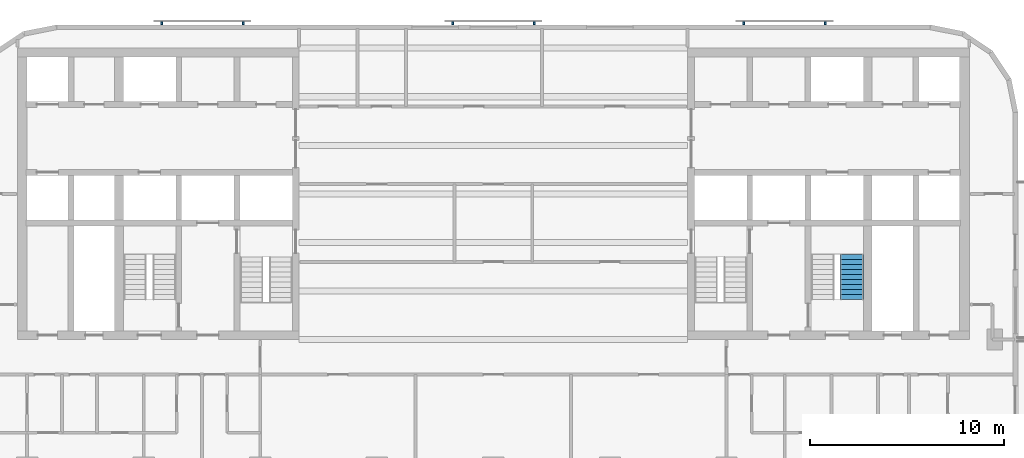
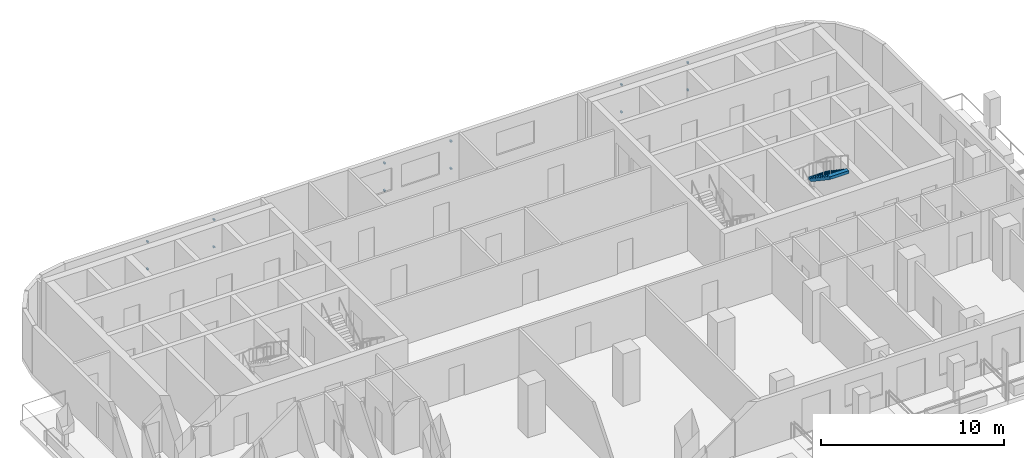
# One storey, part 8 of 11: 12 discrete accessories, 1 stair flight, 1 element without a shape of its own.
"""IFC4 building model written with IfcOpenShell, lengths in metres."""

from ifc_helpers import new_model, si_unit, direction, frame, origin, origin_2d, place, context, subcontext, project, spatial, polyline, rectangle, outline, extrude, material, type_object, element, aggregate, save


model = new_model("IFC4")

# Units and contexts
model_context = context("Model", 3, precision=1e-05, world=origin(), true_north=direction((0.0, 1.0)))
body_context = subcontext(model_context, "Body", "Model", "MODEL_VIEW")
ifc_project = project(units=[si_unit("LENGTHUNIT", "METRE"), si_unit("AREAUNIT", "SQUARE_METRE"), si_unit("VOLUMEUNIT", "CUBIC_METRE"), si_unit("PLANEANGLEUNIT", "RADIAN"), si_unit("MASSUNIT", "GRAM", prefix="KILO")], contexts=[model_context])

# Site, building, storey
site_placement = place(None, origin())
site = spatial("IfcSite", under=ifc_project, at=site_placement, CompositionType="ELEMENT")
building_placement = place(site_placement, origin())
building = spatial("IfcBuilding", under=site, at=building_placement, Name="Torana Hotel and Residences", CompositionType="ELEMENT")
storey_placement = place(building_placement, frame((0.0, 0.0, 187.10009765625)))
storey = spatial("IfcBuildingStorey", under=building, at=storey_placement, Name="L48", CompositionType="ELEMENT", Elevation=187.10009765625)

# Stair, stair flight
ifc_material_1 = material(Name="Concrete C40/50 precast", Category="concrete")
stair_type = type_object("IfcStairType", Name="STAIR ST4 HALF TURN 1200", PredefinedType="HALF_TURN_STAIR", material=ifc_material_1)
stair_placement = place(storey_placement, origin())
stair = element("IfcStair", 1, at=stair_placement, inside=storey, type_object=stair_type, Name="Stair ST4 L48", PredefinedType="HALF_TURN_STAIR")
ifc_material_2 = material(Name="Concrete C40/50 precast", Category="concrete")
stair_flight_type = type_object("IfcStairFlightType", Name="STAIR FLIGHT 1200 PRECAST", PredefinedType="STRAIGHT", material=ifc_material_2)
stair_flight_placement = place(storey_placement, frame((18.449951171875, -10.610107421875, 1.75), z_axis=(0.0, 0.0, 1.0), x_axis=(0.0, -1.0, 0.0)))
stair_flight = element("IfcStairFlight", 2, at=stair_flight_placement, type_object=stair_flight_type, Name="ST4 flight 2", NumberOfRisers=10, NumberOfTreads=9, PredefinedType="STRAIGHT", RiserHeight=0.175, TreadLength=0.26, context=body_context, shape_type="SweptSolid", body=[
    extrude(outline(polyline([(0.0, 0.0), (0.0, 0.175048828125), (0.260009765625, 0.175048828125), (0.260009765625, 0.35009765625), (0.52001953125, 0.35009765625), (0.52001953125, 0.52490234375), (0.780029296875, 0.52490234375), (0.780029296875, 0.699951171875), (1.0400390625, 0.699951171875), (1.0400390625, 0.875), (1.300048828125, 0.875), (1.300048828125, 1.050048828125), (1.56005859375, 1.050048828125), (1.56005859375, 1.22509765625), (1.820068359375, 1.22509765625), (1.820068359375, 1.39990234375), (2.080078125, 1.39990234375), (2.080078125, 1.574951171875), (2.340087890625, 1.574951171875), (2.340087890625, 1.75), (2.340087890625, 1.394287109375), (0.2685546875, 0.0), (0.0, 0.0)])), frame((0.0, 0.60009765625, 0.0), z_axis=(0.0, -1.0, 0.0), x_axis=(1.0, 0.0, 0.0)), (0.0, 0.0, 1.0), 1.199951171875),
])
aggregate(stair, [stair_flight])

# Discrete accessories
ifc_material_3 = material(Name="Steel S355", Category="steel")
discrete_accessory_type = type_object("IfcDiscreteAccessoryType", Name="SCREEN BRACKET 100", PredefinedType="BRACKET", material=ifc_material_3)
for number, where, z_axis, x_axis, name in (
    (3, (17.08349609375, 1.27490234375, 0.749755859375), (0.0, 0.0, 1.0), (-1.0, 0.0, 0.0), "Screen bracket L48"),
    (4, (17.08349609375, 1.27490234375, 2.56982421875), (0.0, 0.0, 1.0), (-1.0, 0.0, 0.0), "Screen bracket L48"),
    (5, (12.883544921875, 1.27490234375, 0.749755859375), (0.0, 0.0, 1.0), (-1.0, 0.0, 0.0), "Screen bracket L48"),
    (6, (12.883544921875, 1.27490234375, 2.56982421875), (0.0, 0.0, 1.0), (-1.0, 0.0, 0.0), "Screen bracket L48"),
    (7, (2.10009765625, 1.27490234375, 0.749755859375), (0.0, 0.0, 1.0), (-1.0, 0.0, 0.0), "Screen bracket L48"),
    (8, (2.10009765625, 1.27490234375, 2.56982421875), (0.0, 0.0, 1.0), (-1.0, 0.0, 0.0), "Screen bracket L48"),
    (9, (-2.10009765625, 1.27490234375, 0.749755859375), (0.0, 0.0, 1.0), (-1.0, 0.0, 0.0), "Screen bracket L48"),
    (10, (-2.10009765625, 1.27490234375, 2.56982421875), (0.0, 0.0, 1.0), (-1.0, 0.0, 0.0), "Screen bracket L48"),
    (11, (-12.883544921875, 1.27490234375, 0.749755859375), (0.0, 0.0, 1.0), (-1.0, 0.0, 0.0), "Screen bracket L48"),
    (12, (-12.883544921875, 1.27490234375, 2.56982421875), (0.0, 0.0, 1.0), (-1.0, 0.0, 0.0), "Screen bracket L48"),
    (13, (-17.08349609375, 1.27490234375, 0.749755859375), (0.0, 0.0, 1.0), (-1.0, 0.0, 0.0), "Screen bracket L48"),
    (14, (-17.08349609375, 1.27490234375, 2.56982421875), (0.0, 0.0, 1.0), (-1.0, 0.0, 0.0), "Screen bracket L48"),
):
    element("IfcDiscreteAccessory", number, at=place(storey_placement, frame(where, z_axis=z_axis, x_axis=x_axis)), inside=storey, type_object=discrete_accessory_type, Name=name, PredefinedType="BRACKET", context=body_context, shape_type="SweptSolid", body=[
        extrude(rectangle(XDim=0.10009765625, YDim=0.14990234375, at=origin_2d()), origin(), (0.0, 0.0, 1.0), 0.10009765625),
    ])

save(model, "model.ifc")
